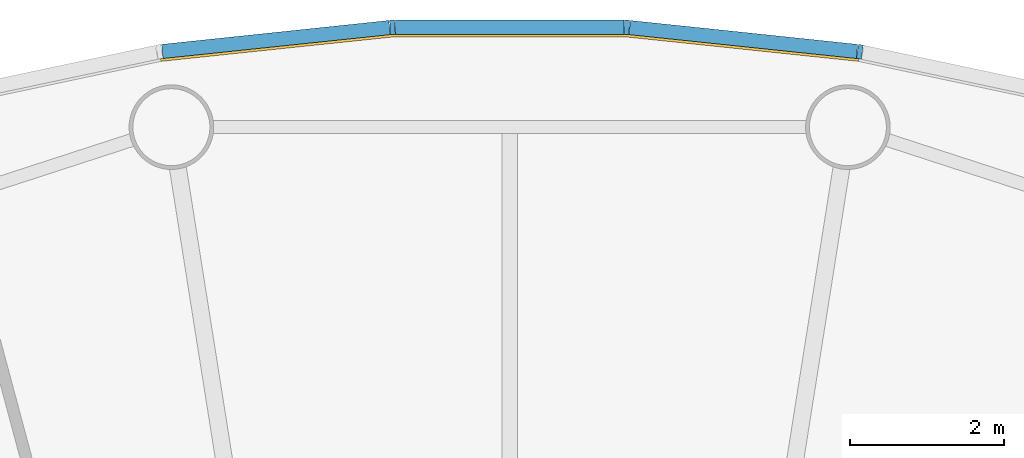
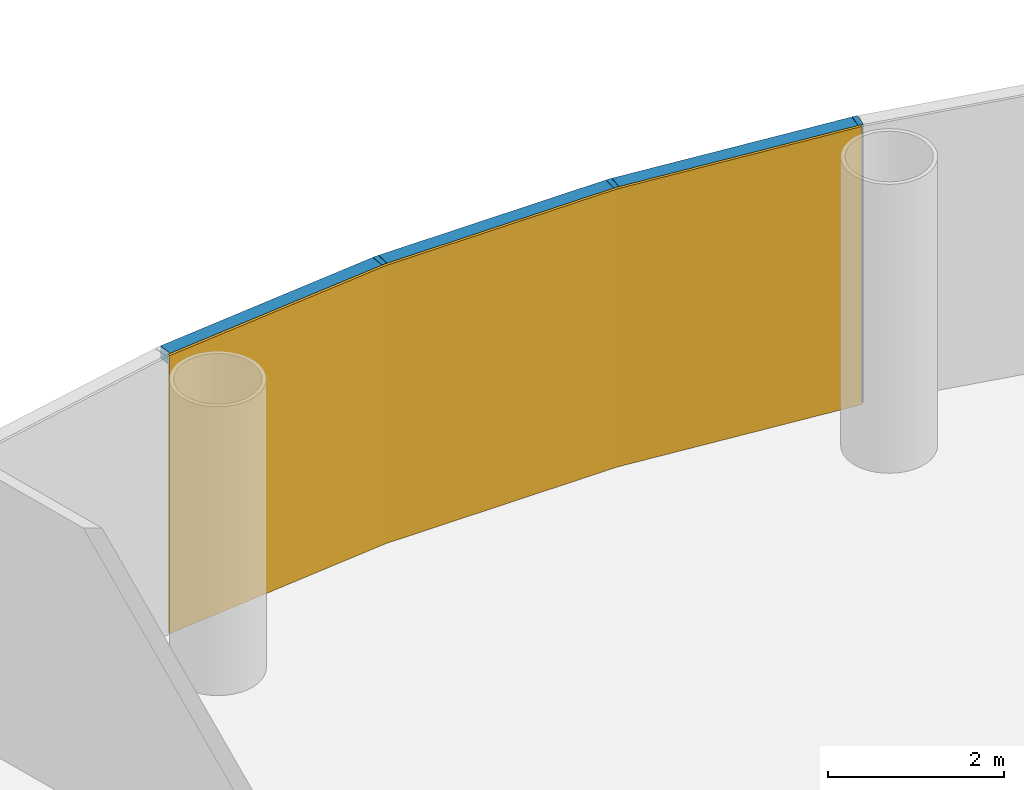
# One storey, part 10 of 12: 6 members, 1 curtain wall.
"""IFC4 building model written with IfcOpenShell, lengths in metres."""

from ifc_helpers import new_model, si_unit, direction, frame, origin, origin_2d, place, context, subcontext, project, spatial, polyline, rectangle, outline, extrude, material, layer, layer_set, material_profile, profile_set, type_object, element, aggregate, save


model = new_model("IFC4")

# Units and contexts
model_context = context("Model", 3, precision=1e-05, world=origin(), true_north=direction((0.0, 1.0)))
body_context = subcontext(model_context, "Body", "Model", "MODEL_VIEW")
ifc_project = project(units=[si_unit("LENGTHUNIT", "METRE"), si_unit("AREAUNIT", "SQUARE_METRE"), si_unit("VOLUMEUNIT", "CUBIC_METRE"), si_unit("PLANEANGLEUNIT", "RADIAN"), si_unit("MASSUNIT", "GRAM", prefix="KILO")], contexts=[model_context])

# Member
ifc_material_1 = material(Name="Anodised aluminium", Category="aluminium")
ifc_material_profile_1 = material_profile(ifc_material_1, rectangle(XDim=0.06494140625, YDim=0.18505859375, at=origin_2d()), Name="Mullion 65 x 185 mm anodised aluminium")
ifc_profile_set_1 = profile_set([ifc_material_profile_1], Name="Anodised aluminium")
member_type_1 = type_object("IfcMemberType", Name="Mullion 65 x 185 mm anodised aluminium", PredefinedType="MULLION", material=ifc_profile_set_1)
site_placement = place(None, origin())
building_placement = place(site_placement, origin())
storey_placement = place(building_placement, frame((0.0, 0.0, 192.0)))
member_1_placement = place(storey_placement, frame((94.551025390625, 108.734375, 0.0), z_axis=(0.0, 0.0, 1.0), x_axis=(-0.987688340595, 0.15643446504, 0.0)))
member_1 = element("IfcMember", 1, at=member_1_placement, type_object=member_type_1, Name="MULLION L44-12", PredefinedType="MULLION", context=body_context, shape_type="SweptSolid", body=[
    extrude(rectangle(XDim=0.06494140625, YDim=0.18505859375, at=origin_2d()), origin(), (0.0, 0.0, 1.0), 3.85009765625),
])

member_2_placement = place(storey_placement, frame((91.522705078125, 109.052734375, 0.0), z_axis=(0.0, 0.0, 1.0), x_axis=(-0.998629534755, 0.052335956243, 0.0)))
member_2 = element("IfcMember", 2, at=member_2_placement, type_object=member_type_1, Name="MULLION L44-13", PredefinedType="MULLION", context=body_context, shape_type="SweptSolid", body=[
    extrude(rectangle(XDim=0.06494140625, YDim=0.18505859375, at=origin_2d()), origin(), (0.0, 0.0, 1.0), 3.85009765625),
])

member_3_placement = place(storey_placement, frame((88.477294921875, 109.052734375, 0.0), z_axis=(0.0, 0.0, 1.0), x_axis=(-0.998629534755, -0.052335956243, 0.0)))
member_3 = element("IfcMember", 3, at=member_3_placement, type_object=member_type_1, Name="MULLION L44-14", PredefinedType="MULLION", context=body_context, shape_type="SweptSolid", body=[
    extrude(rectangle(XDim=0.06494140625, YDim=0.18505859375, at=origin_2d()), origin(), (0.0, 0.0, 1.0), 3.85009765625),
])

ifc_material_2 = material(Name="Anodised aluminium", Category="aluminium")
ifc_material_profile_2 = material_profile(ifc_material_2, rectangle(XDim=0.18505859375, YDim=0.175048828125, at=origin_2d()), Name="Transom 175 x 185 mm anodised aluminium")
ifc_profile_set_2 = profile_set([ifc_material_profile_2], Name="Anodised aluminium")
member_type_2 = type_object("IfcMemberType", Name="Transom 175 x 185 mm anodised aluminium", PredefinedType="USERDEFINED", material=ifc_profile_set_2)
member_4_placement = place(storey_placement, frame((94.513916015625, 108.73828125, 3.762451171875), z_axis=(-0.994519855197, 0.104547872381, 0.0), x_axis=(-0.104547872381, -0.994519855197, 0.0)))
member_4 = element("IfcMember", 4, at=member_4_placement, type_object=member_type_2, Name="TRANSOM L44-12", ObjectType="TRANSOM", PredefinedType="USERDEFINED", context=body_context, shape_type="SweptSolid", body=[
    extrude(rectangle(XDim=0.18505859375, YDim=0.175048828125, at=origin_2d()), origin(), (0.0, 0.0, 1.0), 2.970458984375),
])

member_5_placement = place(storey_placement, frame((91.4853515625, 109.052734375, 3.762451171875), z_axis=(-1.0, 0.0, 0.0), x_axis=(0.0, -1.0, 0.0)))
member_5 = element("IfcMember", 5, at=member_5_placement, type_object=member_type_2, Name="TRANSOM L44-13", ObjectType="TRANSOM", PredefinedType="USERDEFINED", context=body_context, shape_type="SweptSolid", body=[
    extrude(rectangle(XDim=0.18505859375, YDim=0.175048828125, at=origin_2d()), origin(), (0.0, 0.0, 1.0), 2.970703125),
])

member_6_placement = place(storey_placement, frame((88.440185546875, 109.048828125, 3.762451171875), z_axis=(-0.994519855197, -0.104547872381, 0.0), x_axis=(0.104547872381, -0.994519855197, 0.0)))
member_6 = element("IfcMember", 6, at=member_6_placement, type_object=member_type_2, Name="TRANSOM L44-14", ObjectType="TRANSOM", PredefinedType="USERDEFINED", context=body_context, shape_type="SweptSolid", body=[
    extrude(rectangle(XDim=0.18505859375, YDim=0.175048828125, at=origin_2d()), origin(), (0.0, 0.0, 1.0), 2.970458984375),
])

# Site, building, storey
site = spatial("IfcSite", under=ifc_project, at=site_placement, CompositionType="ELEMENT")
building = spatial("IfcBuilding", under=site, at=building_placement, Name="Entoto Ring Tower", CompositionType="ELEMENT")
storey = spatial("IfcBuildingStorey", under=building, at=storey_placement, Name="L44", CompositionType="ELEMENT", Elevation=192.0)

# Curtain wall
ifc_material_3 = material(Name="Clear low-iron glass", Category="glass")
ifc_layer = layer(ifc_material_3, 0.033935546875)
ifc_layer_set = layer_set([ifc_layer], Name="Clear low-iron glass")
curtain_wall_type = type_object("IfcCurtainWallType", Name="Curtain wall system CW3 glazing 34 mm", PredefinedType="NOTDEFINED", material=ifc_layer_set)
curtain_wall_placement = place(storey_placement, origin())
curtain_wall = element("IfcCurtainWall", 7, at=curtain_wall_placement, inside=storey, type_object=curtain_wall_type, Name="CW3 L44-05", PredefinedType="NOTDEFINED", context=body_context, shape_type="SweptSolid", body=[
    extrude(outline(polyline([(94.53662109375, 108.64306640625), (91.517822265625, 108.960205078125), (88.482177734375, 108.960205078125), (85.46337890625, 108.64306640625), (85.46875, 108.609375), (88.484130859375, 108.92626953125), (91.515869140625, 108.92626953125), (94.53125, 108.609375), (94.53662109375, 108.64306640625)])), origin(), (0.0, 0.0, 1.0), 3.85009765625),
])

aggregate(curtain_wall, [member_1, member_2, member_3, member_4, member_5, member_6])

save(model, "model.ifc")
